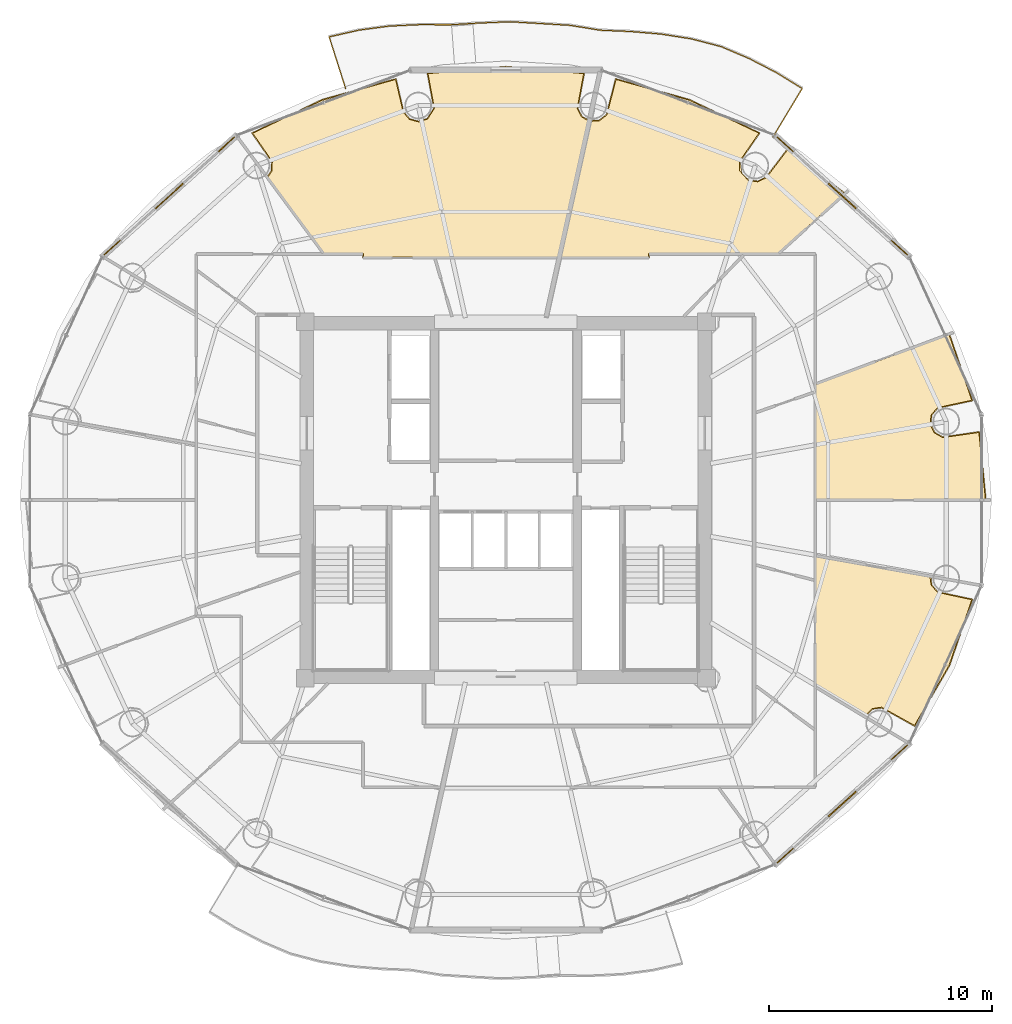
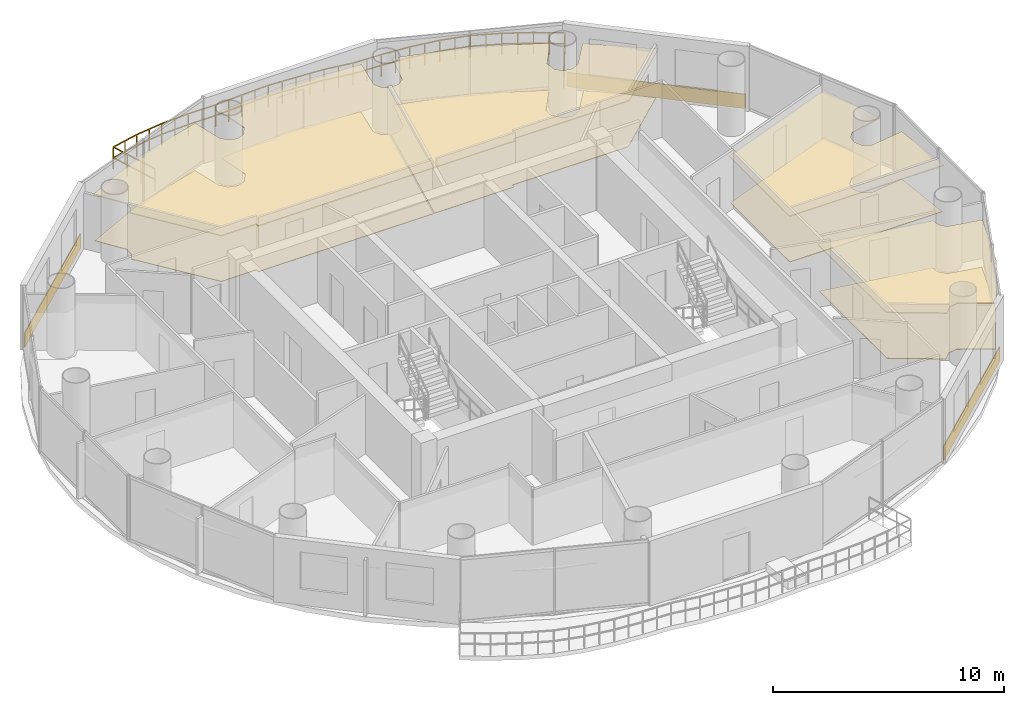
# One storey, part 26 of 26: 11 coverings, 1 railing.
"""IFC4 building model written with IfcOpenShell, lengths in metres."""

from ifc_helpers import new_model, si_unit, direction, frame, origin, origin_2d, place, context, subcontext, project, spatial, polyline, rectangle, outline, extrude, source, transform, mapped, material, layer, layer_set, type_object, element, save


model = new_model("IFC4")

# Units and contexts
model_context = context("Model", 3, precision=1e-05, world=origin(), true_north=direction((-0.2419218956, 0.970295726276)))
body_context = subcontext(model_context, "Body", "Model", "MODEL_VIEW")
ifc_project = project(units=[si_unit("LENGTHUNIT", "METRE"), si_unit("AREAUNIT", "SQUARE_METRE"), si_unit("VOLUMEUNIT", "CUBIC_METRE"), si_unit("PLANEANGLEUNIT", "RADIAN"), si_unit("MASSUNIT", "GRAM", prefix="KILO")], contexts=[model_context])

# Site, building, storey
site_placement = place(None, origin())
site = spatial("IfcSite", under=ifc_project, at=site_placement, CompositionType="ELEMENT")
building_placement = place(site_placement, origin())
building = spatial("IfcBuilding", under=site, at=building_placement, Name="Cobrevalo Terracotta Tower", CompositionType="ELEMENT")
storey_placement = place(building_placement, frame((0.0, 0.0, 231.89990234375)))
storey = spatial("IfcBuildingStorey", under=building, at=storey_placement, Name="L61", CompositionType="ELEMENT", Elevation=231.89990234375)

# Railing
ifc_material_1 = material(Name="Laminated structural glass and stainless steel", Category="steel")
railing_type = type_object("IfcRailingType", Name="Balcony lobe structural glass & terracotta-cap balustrade 1180 mm", PredefinedType="BALUSTRADE", material=ifc_material_1)
railing_placement = place(storey_placement, frame((49.994384765625, 43.09521484375, 0.0)))
element("IfcRailing", 1, at=railing_placement, inside=storey, type_object=railing_type, Name="L61 spiralling balcony lobe balustrade 1", PredefinedType="BALUSTRADE", context=body_context, shape_type="SweptSolid", body=[
    extrude(rectangle(XDim=0.048095703125, YDim=0.048095703125, at=origin_2d()), frame((0.0, 0.0, 1.15576171875), z_axis=(0.515431235616, 0.856930943164, 0.0), x_axis=(-0.856930943164, 0.515431235616, 0.0)), (0.0, 0.0, 1.0), 2.5322265625),
    extrude(rectangle(XDim=0.048095703125, YDim=0.048095703125, at=origin_2d()), frame((0.0, 0.0, 0.58984375), z_axis=(0.515431235616, 0.856930943164, 0.0), x_axis=(-0.856930943164, 0.515431235616, 0.0)), (0.0, 0.0, 1.0), 2.5322265625),
    extrude(rectangle(XDim=0.048095703125, YDim=0.048095703125, at=origin_2d()), frame((1.30517578125, 2.169921875, 1.15576171875), z_axis=(-0.851732343723, 0.523977112721, 0.0), x_axis=(-0.523977112721, -0.851732343723, 0.0)), (0.0, 0.0, 1.0), 1.358642578125),
    extrude(rectangle(XDim=0.048095703125, YDim=0.048095703125, at=origin_2d()), frame((1.30517578125, 2.169921875, 0.58984375), z_axis=(-0.851732343723, 0.523977112721, 0.0), x_axis=(-0.523977112721, -0.851732343723, 0.0)), (0.0, 0.0, 1.0), 1.358642578125),
    extrude(rectangle(XDim=0.048095703125, YDim=0.048095703125, at=origin_2d()), frame((0.14794921875, 2.8818359375, 1.15576171875), z_axis=(-0.887956723656, 0.459927012594, 0.0), x_axis=(-0.459927012594, -0.887956723656, 0.0)), (0.0, 0.0, 1.0), 1.3701171875),
    extrude(rectangle(XDim=0.048095703125, YDim=0.048095703125, at=origin_2d()), frame((0.14794921875, 2.8818359375, 0.58984375), z_axis=(-0.887956723656, 0.459927012594, 0.0), x_axis=(-0.459927012594, -0.887956723656, 0.0)), (0.0, 0.0, 1.0), 1.3701171875),
    extrude(rectangle(XDim=0.048095703125, YDim=0.048095703125, at=origin_2d()), frame((-1.068603515625, 3.511962890625, 1.15576171875), z_axis=(-0.920053673667, 0.39179233986, 0.0), x_axis=(-0.39179233986, -0.920053673667, 0.0)), (0.0, 0.0, 1.0), 1.3720703125),
    extrude(rectangle(XDim=0.048095703125, YDim=0.048095703125, at=origin_2d()), frame((-1.068603515625, 3.511962890625, 0.58984375), z_axis=(-0.920053673667, 0.39179233986, 0.0), x_axis=(-0.39179233986, -0.920053673667, 0.0)), (0.0, 0.0, 1.0), 1.3720703125),
    extrude(rectangle(XDim=0.048095703125, YDim=0.048095703125, at=origin_2d()), frame((-2.3310546875, 4.049560546875, 1.15576171875), z_axis=(-0.967611628331, 0.252443531741, 0.0), x_axis=(-0.252443531741, -0.967611628331, 0.0)), (0.0, 0.0, 1.0), 1.378173828125),
    extrude(rectangle(XDim=0.048095703125, YDim=0.048095703125, at=origin_2d()), frame((-2.3310546875, 4.049560546875, 0.58984375), z_axis=(-0.967611628331, 0.252443531741, 0.0), x_axis=(-0.252443531741, -0.967611628331, 0.0)), (0.0, 0.0, 1.0), 1.378173828125),
    extrude(rectangle(XDim=0.048095703125, YDim=0.048095703125, at=origin_2d()), frame((-3.66455078125, 4.3974609375, 1.15576171875), z_axis=(-0.987711363919, 0.156289032195, 0.0), x_axis=(-0.156289032195, -0.987711363919, 0.0)), (0.0, 0.0, 1.0), 1.382568359375),
    extrude(rectangle(XDim=0.048095703125, YDim=0.048095703125, at=origin_2d()), frame((-3.66455078125, 4.3974609375, 0.58984375), z_axis=(-0.987711363919, 0.156289032195, 0.0), x_axis=(-0.156289032195, -0.987711363919, 0.0)), (0.0, 0.0, 1.0), 1.382568359375),
    extrude(rectangle(XDim=0.048095703125, YDim=0.048095703125, at=origin_2d()), frame((-5.030029296875, 4.613525390625, 1.15576171875), z_axis=(-0.996572639237, 0.08272227465, 0.0), x_axis=(-0.08272227465, -0.996572639237, 0.0)), (0.0, 0.0, 1.0), 1.375244140625),
    extrude(rectangle(XDim=0.048095703125, YDim=0.048095703125, at=origin_2d()), frame((-5.030029296875, 4.613525390625, 0.58984375), z_axis=(-0.996572639237, 0.08272227465, 0.0), x_axis=(-0.08272227465, -0.996572639237, 0.0)), (0.0, 0.0, 1.0), 1.375244140625),
    extrude(rectangle(XDim=0.048095703125, YDim=0.048095703125, at=origin_2d()), frame((-6.400634765625, 4.727294921875, 1.15576171875), z_axis=(-0.999074257755, 0.043018920157, 0.0), x_axis=(-0.043018920157, -0.999074257755, 0.0)), (0.0, 0.0, 1.0), 1.36767578125),
    extrude(rectangle(XDim=0.048095703125, YDim=0.048095703125, at=origin_2d()), frame((-6.400634765625, 4.727294921875, 0.58984375), z_axis=(-0.999074257755, 0.043018920157, 0.0), x_axis=(-0.043018920157, -0.999074257755, 0.0)), (0.0, 0.0, 1.0), 1.36767578125),
    extrude(rectangle(XDim=0.048095703125, YDim=0.048095703125, at=origin_2d()), frame((-7.76708984375, 4.7861328125, 1.15576171875), z_axis=(-0.98684568326, 0.161665077956, 0.0), x_axis=(-0.161665077956, -0.98684568326, 0.0)), (0.0, 0.0, 1.0), 1.34716796875),
    extrude(rectangle(XDim=0.048095703125, YDim=0.048095703125, at=origin_2d()), frame((-7.76708984375, 4.7861328125, 0.58984375), z_axis=(-0.98684568326, 0.161665077956, 0.0), x_axis=(-0.161665077956, -0.98684568326, 0.0)), (0.0, 0.0, 1.0), 1.34716796875),
    extrude(rectangle(XDim=0.048095703125, YDim=0.048095703125, at=origin_2d()), frame((-9.096435546875, 5.00390625, 1.15576171875), z_axis=(-0.998144280792, 0.060893306051, 0.0), x_axis=(-0.060893306051, -0.998144280792, 0.0)), (0.0, 0.0, 1.0), 1.35107421875),
    extrude(rectangle(XDim=0.048095703125, YDim=0.048095703125, at=origin_2d()), frame((-9.096435546875, 5.00390625, 0.58984375), z_axis=(-0.998144280792, 0.060893306051, 0.0), x_axis=(-0.060893306051, -0.998144280792, 0.0)), (0.0, 0.0, 1.0), 1.35107421875),
    extrude(rectangle(XDim=0.048095703125, YDim=0.048095703125, at=origin_2d()), frame((-10.445068359375, 5.086181640625, 1.15576171875), z_axis=(-0.998357481924, 0.057291694745, 0.0), x_axis=(-0.057291694745, -0.998357481924, 0.0)), (0.0, 0.0, 1.0), 1.350830078125),
    extrude(rectangle(XDim=0.048095703125, YDim=0.048095703125, at=origin_2d()), frame((-10.445068359375, 5.086181640625, 0.58984375), z_axis=(-0.998357481924, 0.057291694745, 0.0), x_axis=(-0.057291694745, -0.998357481924, 0.0)), (0.0, 0.0, 1.0), 1.350830078125),
    extrude(rectangle(XDim=0.048095703125, YDim=0.048095703125, at=origin_2d()), frame((-11.793701171875, 5.16357421875, 1.15576171875), z_axis=(-0.999200958722, -0.039968038349, 0.0), x_axis=(0.039968038349, -0.999200958722, 0.0)), (0.0, 0.0, 1.0), 1.349853515625),
    extrude(rectangle(XDim=0.048095703125, YDim=0.048095703125, at=origin_2d()), frame((-11.793701171875, 5.16357421875, 0.58984375), z_axis=(-0.999200958722, -0.039968038349, 0.0), x_axis=(0.039968038349, -0.999200958722, 0.0)), (0.0, 0.0, 1.0), 1.349853515625),
    extrude(rectangle(XDim=0.048095703125, YDim=0.048095703125, at=origin_2d()), frame((-13.142578125, 5.109619140625, 1.15576171875), z_axis=(-0.998209595798, -0.059813065932, 0.0), x_axis=(0.059813065932, -0.998209595798, 0.0)), (0.0, 0.0, 1.0), 1.35107421875),
    extrude(rectangle(XDim=0.048095703125, YDim=0.048095703125, at=origin_2d()), frame((-13.142578125, 5.109619140625, 0.58984375), z_axis=(-0.998209595798, -0.059813065932, 0.0), x_axis=(0.059813065932, -0.998209595798, 0.0)), (0.0, 0.0, 1.0), 1.35107421875),
    extrude(rectangle(XDim=0.048095703125, YDim=0.048095703125, at=origin_2d()), frame((-14.4912109375, 5.02880859375, 1.15576171875), z_axis=(-0.999989148605, 0.004658612769, 0.0), x_axis=(-0.004658612769, -0.999989148605, 0.0)), (0.0, 0.0, 1.0), 1.362548828125),
    extrude(rectangle(XDim=0.048095703125, YDim=0.048095703125, at=origin_2d()), frame((-14.4912109375, 5.02880859375, 0.58984375), z_axis=(-0.999989148605, 0.004658612769, 0.0), x_axis=(-0.004658612769, -0.999989148605, 0.0)), (0.0, 0.0, 1.0), 1.362548828125),
    extrude(rectangle(XDim=0.048095703125, YDim=0.048095703125, at=origin_2d()), frame((-15.853759765625, 5.03515625, 1.15576171875), z_axis=(-0.998906419951, -0.046754295862, 0.0), x_axis=(0.046754295862, -0.998906419951, 0.0)), (0.0, 0.0, 1.0), 1.373291015625),
    extrude(rectangle(XDim=0.048095703125, YDim=0.048095703125, at=origin_2d()), frame((-15.853759765625, 5.03515625, 0.58984375), z_axis=(-0.998906419951, -0.046754295862, 0.0), x_axis=(0.046754295862, -0.998906419951, 0.0)), (0.0, 0.0, 1.0), 1.373291015625),
    extrude(rectangle(XDim=0.048095703125, YDim=0.048095703125, at=origin_2d()), frame((-17.2255859375, 4.970947265625, 1.15576171875), z_axis=(-0.991153159243, -0.132723076072, 0.0), x_axis=(0.132723076072, -0.991153159243, 0.0)), (0.0, 0.0, 1.0), 1.372314453125),
    extrude(rectangle(XDim=0.048095703125, YDim=0.048095703125, at=origin_2d()), frame((-17.2255859375, 4.970947265625, 0.58984375), z_axis=(-0.991153159243, -0.132723076072, 0.0), x_axis=(0.132723076072, -0.991153159243, 0.0)), (0.0, 0.0, 1.0), 1.372314453125),
    extrude(rectangle(XDim=0.048095703125, YDim=0.048095703125, at=origin_2d()), frame((-18.585693359375, 4.788818359375, 1.15576171875), z_axis=(-0.975324873808, -0.220774524192, 0.0), x_axis=(0.220774524192, -0.975324873808, 0.0)), (0.0, 0.0, 1.0), 1.371337890625),
    extrude(rectangle(XDim=0.048095703125, YDim=0.048095703125, at=origin_2d()), frame((-18.585693359375, 4.788818359375, 0.58984375), z_axis=(-0.975324873808, -0.220774524192, 0.0), x_axis=(0.220774524192, -0.975324873808, 0.0)), (0.0, 0.0, 1.0), 1.371337890625),
    extrude(rectangle(XDim=0.048095703125, YDim=0.048095703125, at=origin_2d()), frame((-19.923095703125, 4.486083984375, 1.15576171875), z_axis=(0.303269844012, -0.952904718066, 0.0), x_axis=(0.952904718066, 0.303269844012, 0.0)), (0.0, 0.0, 1.0), 2.43603515625),
    extrude(rectangle(XDim=0.048095703125, YDim=0.048095703125, at=origin_2d()), frame((-19.923095703125, 4.486083984375, 0.58984375), z_axis=(0.303269844012, -0.952904718066, 0.0), x_axis=(0.952904718066, 0.303269844012, 0.0)), (0.0, 0.0, 1.0), 2.43603515625),
    extrude(rectangle(XDim=0.0419921875, YDim=0.0419921875, at=origin_2d()), origin(), (0.0, 0.0, 1.0), 1.1318359375),
    extrude(rectangle(XDim=0.0419921875, YDim=0.0419921875, at=origin_2d()), frame((0.43505859375, 0.723388671875, 0.0)), (0.0, 0.0, 1.0), 1.1318359375),
    extrude(rectangle(XDim=0.0419921875, YDim=0.0419921875, at=origin_2d()), frame((0.8701171875, 1.446533203125, 0.0)), (0.0, 0.0, 1.0), 1.1318359375),
    extrude(rectangle(XDim=0.0419921875, YDim=0.0419921875, at=origin_2d()), frame((1.30517578125, 2.169921875, 0.0)), (0.0, 0.0, 1.0), 1.1318359375),
    extrude(rectangle(XDim=0.0419921875, YDim=0.0419921875, at=origin_2d()), frame((0.7265625, 2.52587890625, 0.0)), (0.0, 0.0, 1.0), 1.1318359375),
    extrude(rectangle(XDim=0.0419921875, YDim=0.0419921875, at=origin_2d()), frame((0.14794921875, 2.8818359375, 0.0)), (0.0, 0.0, 1.0), 1.1318359375),
    extrude(rectangle(XDim=0.0419921875, YDim=0.0419921875, at=origin_2d()), frame((-0.46044921875, 3.19677734375, 0.0)), (0.0, 0.0, 1.0), 1.1318359375),
    extrude(rectangle(XDim=0.0419921875, YDim=0.0419921875, at=origin_2d()), frame((-1.068603515625, 3.511962890625, 0.0)), (0.0, 0.0, 1.0), 1.1318359375),
    extrude(rectangle(XDim=0.0419921875, YDim=0.0419921875, at=origin_2d()), frame((-1.69970703125, 3.78076171875, 0.0)), (0.0, 0.0, 1.0), 1.1318359375),
    extrude(rectangle(XDim=0.0419921875, YDim=0.0419921875, at=origin_2d()), frame((-2.3310546875, 4.049560546875, 0.0)), (0.0, 0.0, 1.0), 1.1318359375),
    extrude(rectangle(XDim=0.0419921875, YDim=0.0419921875, at=origin_2d()), frame((-2.997802734375, 4.2236328125, 0.0)), (0.0, 0.0, 1.0), 1.1318359375),
    extrude(rectangle(XDim=0.0419921875, YDim=0.0419921875, at=origin_2d()), frame((-3.66455078125, 4.3974609375, 0.0)), (0.0, 0.0, 1.0), 1.1318359375),
    extrude(rectangle(XDim=0.0419921875, YDim=0.0419921875, at=origin_2d()), frame((-4.34716796875, 4.50537109375, 0.0)), (0.0, 0.0, 1.0), 1.1318359375),
    extrude(rectangle(XDim=0.0419921875, YDim=0.0419921875, at=origin_2d()), frame((-5.030029296875, 4.613525390625, 0.0)), (0.0, 0.0, 1.0), 1.1318359375),
    extrude(rectangle(XDim=0.0419921875, YDim=0.0419921875, at=origin_2d()), frame((-5.71533203125, 4.67041015625, 0.0)), (0.0, 0.0, 1.0), 1.1318359375),
    extrude(rectangle(XDim=0.0419921875, YDim=0.0419921875, at=origin_2d()), frame((-6.400634765625, 4.727294921875, 0.0)), (0.0, 0.0, 1.0), 1.1318359375),
    extrude(rectangle(XDim=0.0419921875, YDim=0.0419921875, at=origin_2d()), frame((-7.083984375, 4.7568359375, 0.0)), (0.0, 0.0, 1.0), 1.1318359375),
    extrude(rectangle(XDim=0.0419921875, YDim=0.0419921875, at=origin_2d()), frame((-7.76708984375, 4.7861328125, 0.0)), (0.0, 0.0, 1.0), 1.1318359375),
    extrude(rectangle(XDim=0.0419921875, YDim=0.0419921875, at=origin_2d()), frame((-8.431640625, 4.89501953125, 0.0)), (0.0, 0.0, 1.0), 1.1318359375),
    extrude(rectangle(XDim=0.0419921875, YDim=0.0419921875, at=origin_2d()), frame((-9.096435546875, 5.00390625, 0.0)), (0.0, 0.0, 1.0), 1.1318359375),
    extrude(rectangle(XDim=0.0419921875, YDim=0.0419921875, at=origin_2d()), frame((-9.770751953125, 5.044921875, 0.0)), (0.0, 0.0, 1.0), 1.1318359375),
    extrude(rectangle(XDim=0.0419921875, YDim=0.0419921875, at=origin_2d()), frame((-10.445068359375, 5.086181640625, 0.0)), (0.0, 0.0, 1.0), 1.1318359375),
    extrude(rectangle(XDim=0.0419921875, YDim=0.0419921875, at=origin_2d()), frame((-11.119384765625, 5.125, 0.0)), (0.0, 0.0, 1.0), 1.1318359375),
    extrude(rectangle(XDim=0.0419921875, YDim=0.0419921875, at=origin_2d()), frame((-11.793701171875, 5.16357421875, 0.0)), (0.0, 0.0, 1.0), 1.1318359375),
    extrude(rectangle(XDim=0.0419921875, YDim=0.0419921875, at=origin_2d()), frame((-12.46826171875, 5.13671875, 0.0)), (0.0, 0.0, 1.0), 1.1318359375),
    extrude(rectangle(XDim=0.0419921875, YDim=0.0419921875, at=origin_2d()), frame((-13.142578125, 5.109619140625, 0.0)), (0.0, 0.0, 1.0), 1.1318359375),
    extrude(rectangle(XDim=0.0419921875, YDim=0.0419921875, at=origin_2d()), frame((-13.81689453125, 5.0693359375, 0.0)), (0.0, 0.0, 1.0), 1.1318359375),
    extrude(rectangle(XDim=0.0419921875, YDim=0.0419921875, at=origin_2d()), frame((-14.4912109375, 5.02880859375, 0.0)), (0.0, 0.0, 1.0), 1.1318359375),
    extrude(rectangle(XDim=0.0419921875, YDim=0.0419921875, at=origin_2d()), frame((-15.17236328125, 5.031982421875, 0.0)), (0.0, 0.0, 1.0), 1.1318359375),
    extrude(rectangle(XDim=0.0419921875, YDim=0.0419921875, at=origin_2d()), frame((-15.853759765625, 5.03515625, 0.0)), (0.0, 0.0, 1.0), 1.1318359375),
    extrude(rectangle(XDim=0.0419921875, YDim=0.0419921875, at=origin_2d()), frame((-16.53955078125, 5.0029296875, 0.0)), (0.0, 0.0, 1.0), 1.1318359375),
    extrude(rectangle(XDim=0.0419921875, YDim=0.0419921875, at=origin_2d()), frame((-17.2255859375, 4.970947265625, 0.0)), (0.0, 0.0, 1.0), 1.1318359375),
    extrude(rectangle(XDim=0.0419921875, YDim=0.0419921875, at=origin_2d()), frame((-17.90576171875, 4.8798828125, 0.0)), (0.0, 0.0, 1.0), 1.1318359375),
    extrude(rectangle(XDim=0.0419921875, YDim=0.0419921875, at=origin_2d()), frame((-18.585693359375, 4.788818359375, 0.0)), (0.0, 0.0, 1.0), 1.1318359375),
    extrude(rectangle(XDim=0.0419921875, YDim=0.0419921875, at=origin_2d()), frame((-19.25439453125, 4.637451171875, 0.0)), (0.0, 0.0, 1.0), 1.1318359375),
    extrude(rectangle(XDim=0.0419921875, YDim=0.0419921875, at=origin_2d()), frame((-19.923095703125, 4.486083984375, 0.0)), (0.0, 0.0, 1.0), 1.1318359375),
    extrude(rectangle(XDim=0.0419921875, YDim=0.0419921875, at=origin_2d()), frame((-19.6767578125, 3.71240234375, 0.0)), (0.0, 0.0, 1.0), 1.1318359375),
    extrude(rectangle(XDim=0.0419921875, YDim=0.0419921875, at=origin_2d()), frame((-19.4306640625, 2.9384765625, 0.0)), (0.0, 0.0, 1.0), 1.1318359375),
    extrude(rectangle(XDim=0.0419921875, YDim=0.0419921875, at=origin_2d()), frame((-19.184326171875, 2.164794921875, 0.0)), (0.0, 0.0, 1.0), 1.1318359375),
])

# Coverings
ifc_material_2 = material(Name="Engineered Brazilian hardwood flooring", Category="wood")
ifc_layer_1 = layer(ifc_material_2, 0.028076171875)
ifc_layer_set_1 = layer_set([ifc_layer_1], Name="Engineered Brazilian hardwood flooring")
covering_type_1 = type_object("IfcCoveringType", Name="Engineered Hardwood Suite Flooring 28", PredefinedType="FLOORING", material=ifc_layer_set_1)
covering_1_placement = place(storey_placement, origin())
element("IfcCovering", 2, at=covering_1_placement, inside=storey, type_object=covering_type_1, Name="Flat L61A Penthouse Living and Dining Room floor finish", PredefinedType="FLOORING", context=body_context, shape_type="SweptSolid", body=[
    extrude(outline(polyline([(29.763916015625, 44.741455078125), (33.0517578125, 45.669921875), (33.3916015625, 44.204833984375), (33.67138671875, 43.87890625), (34.08544921875, 43.76318359375), (34.49365234375, 43.89697265625), (34.7978515625, 44.375), (34.509765625, 45.931640625), (38.0, 46.219970703125), (41.490234375, 45.931640625), (41.2021484375, 44.375), (41.396240234375, 43.991455078125), (41.720947265625, 43.797119140625), (40.377685546875, 37.695068359375), (31.60498046875, 37.695068359375), (31.60498046875, 37.85498046875), (29.850830078125, 37.85498046875), (27.318603515625, 41.279541015625), (27.502685546875, 41.560546875), (27.522705078125, 41.98974609375), (26.6455078125, 43.259765625), (29.763916015625, 44.741455078125)])), origin(), (0.0, 0.0, 1.0), 0.030029296875),
])
covering_2_placement = place(storey_placement, origin())
element("IfcCovering", 3, at=covering_2_placement, inside=storey, type_object=covering_type_1, Name="Flat L61B Principal Guest Bedroom floor finish", PredefinedType="FLOORING", context=body_context, shape_type="SweptSolid", body=[
    extrude(outline(polyline([(56.337890625, 16.6865234375), (54.8623046875, 17.504150390625), (54.437255859375, 17.44091796875), (54.096435546875, 17.10400390625), (51.905029296875, 18.42724609375), (51.905029296875, 24.2802734375), (57.0302734375, 23.35888671875), (57.0849609375, 22.981689453125), (57.364013671875, 22.655029296875), (58.90771484375, 22.322998046875), (57.882080078125, 19.368896484375), (56.337890625, 16.6865234375)])), origin(), (0.0, 0.0, 1.0), 0.030029296875),
])
covering_3_placement = place(storey_placement, origin())
element("IfcCovering", 4, at=covering_3_placement, inside=storey, type_object=covering_type_1, Name="Flat L61B Principal Guest Bedroom floor finish", PredefinedType="FLOORING", context=body_context, shape_type="SweptSolid", body=[
    extrude(outline(polyline([(57.885498046875, 34.221923828125), (58.90771484375, 31.277099609375), (57.364013671875, 30.94482421875), (57.0849609375, 30.6181640625), (57.0341796875, 30.191650390625), (57.229248046875, 29.80859375), (57.60400390625, 29.5986328125), (59.2265625, 29.83056640625), (59.5185546875, 26.820068359375), (51.905029296875, 26.820068359375), (51.905029296875, 31.9833984375), (57.885498046875, 34.221923828125)])), origin(), (0.0, 0.0, 1.0), 0.030029296875),
])
covering_4_placement = place(storey_placement, origin())
element("IfcCovering", 5, at=covering_4_placement, inside=storey, type_object=covering_type_1, Name="Flat L61B Private Cinema Room floor finish", PredefinedType="FLOORING", context=body_context, shape_type="SweptSolid", body=[
    extrude(outline(polyline([(44.39501953125, 37.695068359375), (40.418701171875, 37.695068359375), (41.759765625, 43.78759765625), (42.198974609375, 43.813232421875), (42.537109375, 44.078369140625), (42.9482421875, 45.669921875), (46.236083984375, 44.741455078125), (49.3544921875, 43.259765625), (48.477294921875, 41.98974609375), (48.497314453125, 41.560546875), (48.87646484375, 41.139892578125), (49.30126953125, 41.07568359375), (49.690185546875, 41.25830078125), (50.6279296875, 42.49169921875), (53.189697265625, 40.553466796875), (50.20361328125, 37.85498046875), (44.39501953125, 37.85498046875), (44.39501953125, 37.695068359375)])), origin(), (0.0, 0.0, 1.0), 0.030029296875),
])
ifc_material_3 = material(Name="Acoustic perforated gypsum ceiling", Category="gypsum")
ifc_layer_2 = layer(ifc_material_3, 0.050048828125)
ifc_layer_set_2 = layer_set([ifc_layer_2], Name="Acoustic perforated gypsum ceiling")
covering_type_2 = type_object("IfcCoveringType", Name="Perforated Acoustic Gypsum Ceiling 50", PredefinedType="CEILING", material=ifc_layer_set_2)
covering_5_placement = place(storey_placement, frame((0.0, 0.0, 2.445068359375)))
element("IfcCovering", 6, at=covering_5_placement, inside=storey, type_object=covering_type_2, Name="Flat L61A Penthouse Living and Dining Room acoustic ceiling", PredefinedType="CEILING", context=body_context, shape_type="SweptSolid", body=[
    extrude(outline(polyline([(29.748291015625, 44.78369140625), (33.08642578125, 45.7216796875), (33.43310546875, 44.22314453125), (33.69580078125, 43.9169921875), (34.084228515625, 43.808349609375), (34.4677734375, 43.93408203125), (34.753173828125, 44.3828125), (34.455810546875, 45.967529296875), (38.0, 46.26513671875), (41.544189453125, 45.967529296875), (41.246826171875, 44.3828125), (41.428955078125, 44.02294921875), (41.7734375, 43.8271484375), (40.413818359375, 37.64990234375), (31.56005859375, 37.64990234375), (31.56005859375, 37.81005859375), (29.828125, 37.81005859375), (27.25830078125, 41.285400390625), (27.460205078125, 41.57568359375), (27.478759765625, 41.978759765625), (26.579833984375, 43.272705078125), (29.748291015625, 44.78369140625)])), origin(), (0.0, 0.0, 1.0), 0.050048828125),
])
covering_6_placement = place(storey_placement, frame((0.0, 0.0, 2.445068359375)))
element("IfcCovering", 7, at=covering_6_placement, inside=storey, type_object=covering_type_2, Name="Flat L61B Principal Guest Bedroom acoustic ceiling", PredefinedType="CEILING", context=body_context, shape_type="SweptSolid", body=[
    extrude(outline(polyline([(56.349853515625, 16.626953125), (54.855712890625, 17.45947265625), (54.45654296875, 17.39990234375), (54.115966796875, 17.039794921875), (51.860107421875, 18.40185546875), (51.860107421875, 24.333984375), (57.078369140625, 23.39599609375), (57.126220703125, 23.0), (57.388427734375, 22.693359375), (58.961669921875, 22.359130859375), (57.923095703125, 19.35009765625), (56.349853515625, 16.626953125)])), origin(), (0.0, 0.0, 1.0), 0.050048828125),
])
covering_7_placement = place(storey_placement, frame((0.0, 0.0, 2.445068359375)))
element("IfcCovering", 8, at=covering_7_placement, inside=storey, type_object=covering_type_2, Name="Flat L61B Principal Guest Bedroom acoustic ceiling", PredefinedType="CEILING", context=body_context, shape_type="SweptSolid", body=[
    extrude(outline(polyline([(57.911865234375, 34.280029296875), (58.961669921875, 31.240966796875), (57.388427734375, 30.90673828125), (57.126220703125, 30.60009765625), (57.07861328125, 30.199462890625), (57.26171875, 29.83984375), (57.613525390625, 29.642578125), (59.26123046875, 29.88232421875), (59.56689453125, 26.77490234375), (51.860107421875, 26.77490234375), (51.860107421875, 32.0146484375), (57.911865234375, 34.280029296875)])), origin(), (0.0, 0.0, 1.0), 0.050048828125),
])
covering_8_placement = place(storey_placement, frame((0.0, 0.0, 2.445068359375)))
element("IfcCovering", 9, at=covering_8_placement, inside=storey, type_object=covering_type_2, Name="Flat L61B Private Cinema Room acoustic ceiling", PredefinedType="CEILING", context=body_context, shape_type="SweptSolid", body=[
    extrude(outline(polyline([(44.43994140625, 37.64990234375), (40.362548828125, 37.64990234375), (41.724853515625, 43.838623046875), (42.1826171875, 43.85546875), (42.500244140625, 44.1044921875), (42.91357421875, 45.7216796875), (46.251708984375, 44.78369140625), (49.420166015625, 43.272705078125), (48.521240234375, 41.978759765625), (48.59765625, 41.452392578125), (48.89599609375, 41.1806640625), (49.294921875, 41.120361328125), (49.659912109375, 41.2919921875), (50.6162109375, 42.55126953125), (53.25927734375, 40.5556640625), (50.220947265625, 37.81005859375), (44.43994140625, 37.81005859375), (44.43994140625, 37.64990234375)])), origin(), (0.0, 0.0, 1.0), 0.050048828125),
])
ifc_material_4 = material(Name="Glazed terracotta facade cladding tile", Category="masonry")
ifc_layer_3 = layer(ifc_material_4, 0.044921875)
ifc_layer_set_3 = layer_set([ifc_layer_3], Name="Glazed terracotta facade cladding tile")
covering_type_3 = type_object("IfcCoveringType", Name="Architectural terracotta rainscreen spandrel cladding 45 mm", PredefinedType="CLADDING", material=ifc_layer_set_3)
shared_shape = source(origin(), body_context, "Body", "SweptSolid", [
    extrude(rectangle(XDim=7.89501953125, YDim=0.044921875, at=origin_2d()), origin(), (0.0, 0.0, 1.0), 0.760009765625),
])
for number, where, z_axis, x_axis, name in (
    (10, (53.097900390625, 40.441650390625, 0.0400390625), (0.0, 0.0, 1.0), (-0.741987542015, 0.670413668935, 0.0), "L61 terracotta spandrel cladding S02"),
    (11, (22.902099609375, 40.441650390625, 0.0400390625), (0.0, 0.0, 1.0), (-0.741987542015, -0.670413668935, 0.0), "L61 terracotta spandrel cladding S06"),
    (12, (53.097900390625, 13.158447265625, 0.0400390625), (0.0, 0.0, 1.0), (0.741987542015, 0.670413668935, 0.0), "L61 terracotta spandrel cladding S14"),
):
    element("IfcCovering", number, at=place(storey_placement, frame(where, z_axis=z_axis, x_axis=x_axis)), inside=storey, type_object=covering_type_3, Name=name, PredefinedType="CLADDING", context=body_context, shape_type="MappedRepresentation", body=[
        mapped(shared_shape, transform((0.0, 0.0, 0.0), scale=1.0)),
    ])

save(model, "model.ifc")
